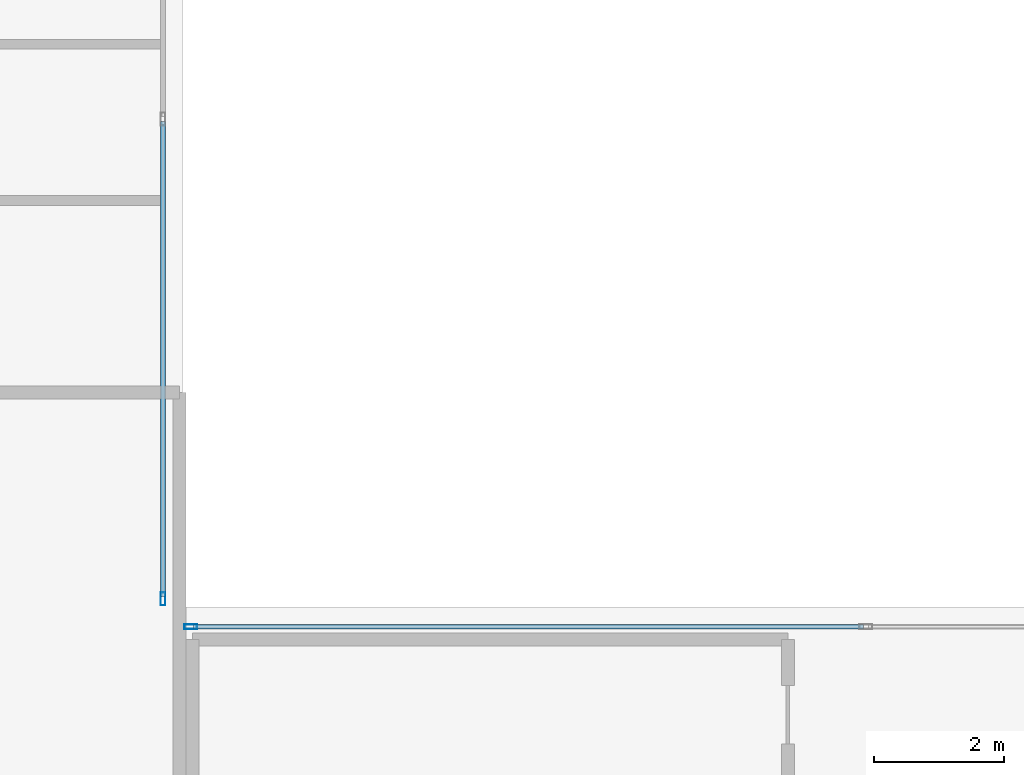
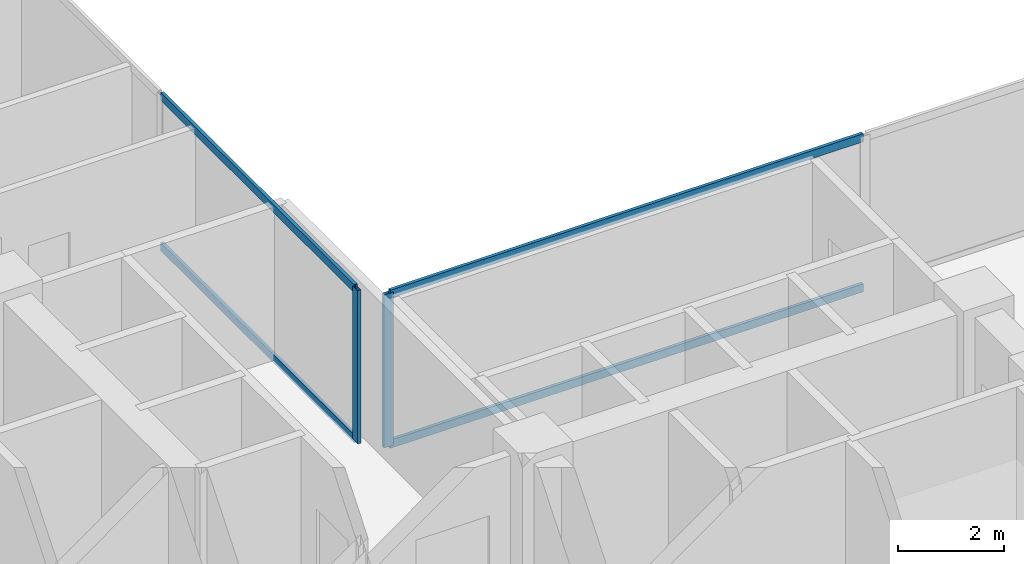
# One storey, part 9 of 28: 6 members, 2 elements without a shape of their own.
"""IFC4 building model written with IfcOpenShell, lengths in metres."""

from ifc_helpers import new_model, si_unit, direction, frame, origin, origin_2d, place, context, subcontext, project, spatial, hollow_rectangle, extrude, material, layer, layer_set, material_profile, profile_set, type_object, element, aggregate, save


model = new_model("IFC4")

# Units and contexts
model_context = context("Model", 3, precision=1e-05, world=origin(), true_north=direction((0.0, 1.0)))
body_context = subcontext(model_context, "Body", "Model", "MODEL_VIEW")
ifc_project = project(units=[si_unit("LENGTHUNIT", "METRE"), si_unit("AREAUNIT", "SQUARE_METRE"), si_unit("VOLUMEUNIT", "CUBIC_METRE"), si_unit("PLANEANGLEUNIT", "RADIAN"), si_unit("MASSUNIT", "GRAM", prefix="KILO"), si_unit("THERMODYNAMICTEMPERATUREUNIT", "KELVIN"), si_unit("POWERUNIT", "WATT")], contexts=[model_context])

# Site, building, storey
site_placement = place(None, origin())
site = spatial("IfcSite", under=ifc_project, at=site_placement, CompositionType="ELEMENT")
building_placement = place(site_placement, origin())
building = spatial("IfcBuilding", under=site, at=building_placement, Name="Svarakhadi Broadcast Tower", CompositionType="ELEMENT")
storey_placement = place(building_placement, frame((0.0, 0.0, 103.35009765625)))
storey = spatial("IfcBuildingStorey", under=building, at=storey_placement, Name="L24", CompositionType="ELEMENT", Elevation=103.35009765625)

# Curtain wall, member
ifc_material = material(Name="Anodised Bronze Aluminium AA 6063-T6", Category="aluminium")
ifc_layer = layer(ifc_material, 0.199951171875)
ifc_layer_set = layer_set([ifc_layer], Name="Anodised Bronze Aluminium AA 6063-T6")
curtain_wall_type = type_object("IfcCurtainWallType", Name="CW_Sys_03", PredefinedType="NOTDEFINED", material=ifc_layer_set)
curtain_wall_1_placement = place(storey_placement, origin())
curtain_wall_1 = element("IfcCurtainWall", 1, at=curtain_wall_1_placement, inside=storey, type_object=curtain_wall_type, Name="L24 Unitised Facade Curtain Wall 09", PredefinedType="NOTDEFINED")
ifc_material_profile_1 = material_profile(ifc_material, hollow_rectangle(XDim=0.074951171875, YDim=0.199951171875, WallThickness=0.005615234375, at=origin_2d()), Name="ALU MULLION 200x75x6")
ifc_profile_set_1 = profile_set([ifc_material_profile_1], Name="Anodised Bronze Aluminium AA 6063-T6")
member_type_1 = type_object("IfcMemberType", Name="CW_Sys_03_Mul", PredefinedType="MULLION", material=ifc_profile_set_1)
member_1_placement = place(storey_placement, frame((23.699951171875, 24.12744140625, 0.0), z_axis=(0.0, 0.0, 1.0), x_axis=(1.0, 0.0, 0.0)))
member_1 = element("IfcMember", 2, at=member_1_placement, type_object=member_type_1, Name="CW-03 mullion 3", PredefinedType="MULLION", context=body_context, shape_type="SweptSolid", body=[
    extrude(hollow_rectangle(XDim=0.074951171875, YDim=0.199951171875, WallThickness=0.005615234375, at=origin_2d()), origin(), (0.0, 0.0, 1.0), 3.52490234375),
])

curtain_wall_2_placement = place(storey_placement, origin())
curtain_wall_2 = element("IfcCurtainWall", 3, at=curtain_wall_2_placement, inside=storey, type_object=curtain_wall_type, Name="L24 Unitised Facade Curtain Wall 10", PredefinedType="NOTDEFINED")
member_2_placement = place(storey_placement, frame((24.12744140625, 23.699951171875, 0.0), z_axis=(0.0, 0.0, 1.0), x_axis=(0.0, 1.0, 0.0)))
member_2 = element("IfcMember", 4, at=member_2_placement, type_object=member_type_1, Name="CW-03 mullion 1", PredefinedType="MULLION", context=body_context, shape_type="SweptSolid", body=[
    extrude(hollow_rectangle(XDim=0.074951171875, YDim=0.199951171875, WallThickness=0.005615234375, at=origin_2d()), origin(), (0.0, 0.0, 1.0), 3.52490234375),
])

# Member
ifc_material_profile_2 = material_profile(ifc_material, hollow_rectangle(XDim=0.070068359375, YDim=0.18505859375, WallThickness=0.0048828125, at=origin_2d()), Name="ALU TRANSOM 185x70x5")
ifc_profile_set_2 = profile_set([ifc_material_profile_2], Name="Anodised Bronze Aluminium AA 6063-T6")
member_type_2 = type_object("IfcMemberType", Name="CW_Sys_03_Trn", PredefinedType="USERDEFINED", material=ifc_profile_set_2)
member_3_placement = place(storey_placement, frame((23.699951171875, 31.46240234375, 0.034912109375), z_axis=(0.0, -1.0, 0.0), x_axis=(1.0, 0.0, 0.0)))
member_3 = element("IfcMember", 5, at=member_3_placement, type_object=member_type_2, Name="CW-03 transom 2.1", ObjectType="TRANSOM", PredefinedType="USERDEFINED", context=body_context, shape_type="SweptSolid", body=[
    extrude(hollow_rectangle(XDim=0.070068359375, YDim=0.18505859375, WallThickness=0.0048828125, at=origin_2d()), origin(), (0.0, 0.0, 1.0), 7.29736328125),
])

member_4_placement = place(storey_placement, frame((23.699951171875, 31.46240234375, 3.489990234375), z_axis=(0.0, -1.0, 0.0), x_axis=(1.0, 0.0, 0.0)))
member_4 = element("IfcMember", 6, at=member_4_placement, type_object=member_type_2, Name="CW-03 transom 2.2", ObjectType="TRANSOM", PredefinedType="USERDEFINED", context=body_context, shape_type="SweptSolid", body=[
    extrude(hollow_rectangle(XDim=0.070068359375, YDim=0.18505859375, WallThickness=0.0048828125, at=origin_2d()), origin(), (0.0, 0.0, 1.0), 7.29736328125),
])

aggregate(curtain_wall_1, [member_1, member_3, member_4])

member_5_placement = place(storey_placement, frame((24.1650390625, 23.699951171875, 0.034912109375), z_axis=(1.0, 0.0, 0.0), x_axis=(0.0, 1.0, 0.0)))
member_5 = element("IfcMember", 7, at=member_5_placement, type_object=member_type_2, Name="CW-03 transom 1.1", ObjectType="TRANSOM", PredefinedType="USERDEFINED", context=body_context, shape_type="SweptSolid", body=[
    extrude(hollow_rectangle(XDim=0.070068359375, YDim=0.18505859375, WallThickness=0.0048828125, at=origin_2d()), origin(), (0.0, 0.0, 1.0), 10.29736328125),
])

member_6_placement = place(storey_placement, frame((24.1650390625, 23.699951171875, 3.489990234375), z_axis=(1.0, 0.0, 0.0), x_axis=(0.0, 1.0, 0.0)))
member_6 = element("IfcMember", 8, at=member_6_placement, type_object=member_type_2, Name="CW-03 transom 1.2", ObjectType="TRANSOM", PredefinedType="USERDEFINED", context=body_context, shape_type="SweptSolid", body=[
    extrude(hollow_rectangle(XDim=0.070068359375, YDim=0.18505859375, WallThickness=0.0048828125, at=origin_2d()), origin(), (0.0, 0.0, 1.0), 10.29736328125),
])

aggregate(curtain_wall_2, [member_2, member_5, member_6])

save(model, "model.ifc")
